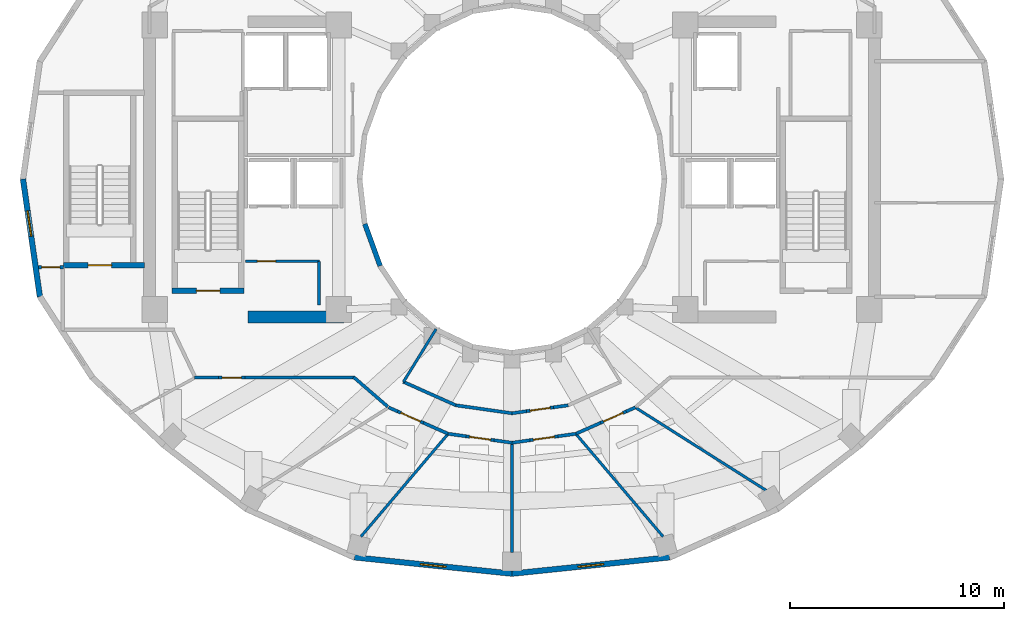
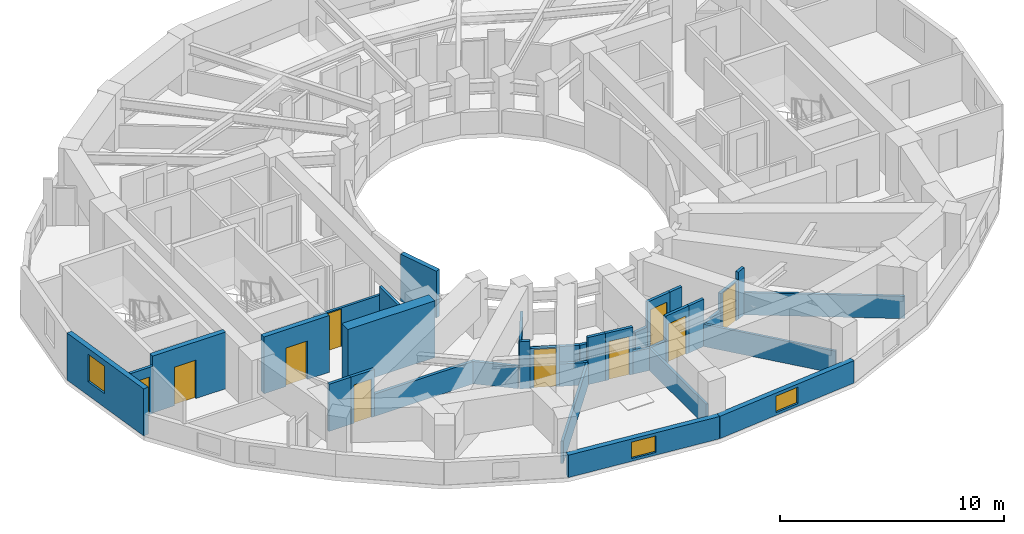
# One storey, part 3 of 9: 36 walls, 10 doors, 3 windows, 13 openings.
"""IFC4 building model written with IfcOpenShell, lengths in metres."""

from ifc_helpers import new_model, si_unit, direction, frame, frame_2d, origin, place, context, subcontext, project, spatial, rectangle, extrude, material, layer, layer_set, type_object, element, fill, save


model = new_model("IFC4")

# Units and contexts
model_context = context("Model", 3, precision=1e-05, world=origin(), true_north=direction((0.0, 1.0)))
body_context = subcontext(model_context, "Body", "Model", "MODEL_VIEW")
ifc_project = project(units=[si_unit("LENGTHUNIT", "METRE"), si_unit("AREAUNIT", "SQUARE_METRE"), si_unit("VOLUMEUNIT", "CUBIC_METRE"), si_unit("PLANEANGLEUNIT", "RADIAN"), si_unit("MASSUNIT", "GRAM", prefix="KILO")], contexts=[model_context])

# Site, building, storey
site_placement = place(None, origin())
site = spatial("IfcSite", under=ifc_project, at=site_placement, CompositionType="ELEMENT")
building_placement = place(site_placement, origin())
building = spatial("IfcBuilding", under=site, at=building_placement, Name="Solvane Sanctuary Tower", CompositionType="ELEMENT")
storey_placement = place(building_placement, frame((0.0, 0.0, 187.0)))
storey = spatial("IfcBuildingStorey", under=building, at=storey_placement, Name="L57", CompositionType="ELEMENT", Elevation=187.0)

# Wall
ifc_material_1 = material(Name="Concrete C50/60", Category="concrete")
ifc_layer_1 = layer(ifc_material_1, 0.550048828125, Name="Concrete C50/60")
ifc_layer_set_1 = layer_set([ifc_layer_1], Name="Concrete C50/60")
wall_type_1 = type_object("IfcWallType", Name="Wall W-CORE-550", PredefinedType="SHEAR", material=ifc_layer_set_1)
wall_1_placement = place(storey_placement, frame((19.64990234375, 16.550048828125, 0.0), z_axis=(0.0, 0.0, 1.0), x_axis=(1.0, 0.0, 0.0)))
element("IfcWall", 1, at=wall_1_placement, inside=storey, type_object=wall_type_1, Name="L57 Core Shear Wall WC-S", PredefinedType="SHEAR", context=body_context, shape_type="SweptSolid", body=[
    extrude(rectangle(XDim=4.5, YDim=0.550048828125, at=frame_2d((2.25, 0.0))), origin(), (0.0, 0.0, 1.0), 3.10009765625),
])

# Wall, opening, door
ifc_material_2 = material(Name="Acoustic Gypsum Partition Board")
ifc_layer_2 = layer(ifc_material_2, 0.14990234375, Name="Acoustic Gypsum Partition Board")
ifc_layer_set_2 = layer_set([ifc_layer_2], Name="Acoustic Gypsum Partition Board")
wall_type_2 = type_object("IfcWallType", Name="Wall W-CORR-150", PredefinedType="PARTITIONING", material=ifc_layer_set_2)
wall_2_placement = place(storey_placement, frame((9.869873046875, 18.8798828125, 0.0), z_axis=(0.0, 0.0, 1.0), x_axis=(1.0, 0.0, 0.0)))
wall_2 = element("IfcWall", 2, at=wall_2_placement, inside=storey, type_object=wall_type_2, Name="L57 SW Corner Closer 1", PredefinedType="PARTITIONING", context=body_context, shape_type="SweptSolid", body=[
    extrude(rectangle(XDim=1.170166015625, YDim=0.14990234375, at=frame_2d((0.5849609375, 0.0))), origin(), (0.0, 0.0, 1.0), 2.574951171875),
])
opening_1_placement = place(wall_2_placement, frame((0.139892578125, 0.0, 0.0)))
opening_1 = element("IfcOpeningElement", 3, at=opening_1_placement, cuts=wall_2, Name="Opening D-L57-16", PredefinedType="OPENING", context=body_context, shape_type="SweptSolid", body=[
    extrude(rectangle(XDim=0.85009765625, YDim=2.050048828125, at=frame_2d((0.425048828125, 1.02490234375))), frame((0.0, 0.0849609375, 0.0), z_axis=(0.0, -1.0, 0.0), x_axis=(1.0, 0.0, 0.0)), (0.0, 0.0, 1.0), 0.169921875),
])
ifc_material_3 = material(Name="Architectural Stainless Steel 316", Category="steel")
door_type_1 = type_object("IfcDoorType", Name="Door D-RISER", OperationType="NOTDEFINED", PredefinedType="DOOR", material=ifc_material_3)
door_1_placement = place(opening_1_placement, origin())
door_1 = element("IfcDoor", 4, at=door_1_placement, inside=storey, type_object=door_type_1, Name="L57 West Lookout Study Door", OperationType="SINGLE_SWING_RIGHT", OverallHeight=2.050048828125, OverallWidth=0.85009765625, PredefinedType="DOOR", context=body_context, shape_type="SweptSolid", body=[
    extrude(rectangle(XDim=0.85009765625, YDim=2.050048828125, at=frame_2d((0.425048828125, 1.02490234375))), frame((0.0, 0.02490234375, 0.0), z_axis=(0.0, -1.0, 0.0), x_axis=(1.0, 0.0, 0.0)), (0.0, 0.0, 1.0), 0.050048828125),
])
fill(opening_1, door_1)

# Walls
wall_3_placement = place(storey_placement, frame((26.193359375, 12.35791015625, 0.0), z_axis=(0.0, 0.0, 1.0), x_axis=(-0.756055312247, 0.654507727092, 0.0)))
element("IfcWall", 5, at=wall_3_placement, inside=storey, type_object=wall_type_2, Name="L57 SW Corner Throat Wall", PredefinedType="PARTITIONING", context=body_context, shape_type="SweptSolid", body=[
    extrude(rectangle(XDim=2.11083984375, YDim=0.14990234375, at=frame_2d((1.055419921875, 0.0))), origin(), (0.0, 0.0, 1.0), 1.219970703125),
])
wall_4_placement = place(storey_placement, frame((17.14990234375, 13.719970703125, 0.0), z_axis=(0.0, 0.0, 1.0), x_axis=(1.0, 0.0, 0.0)))
element("IfcWall", 6, at=wall_4_placement, inside=storey, type_object=wall_type_2, Name="L57 SW Corner Corridor Wall", PredefinedType="PARTITIONING", context=body_context, shape_type="SweptSolid", body=[
    extrude(rectangle(XDim=1.14013671875, YDim=0.14990234375, at=frame_2d((0.570068359375, 0.0))), origin(), (0.0, 0.0, 1.0), 2.574951171875),
])

# Wall, opening, door
wall_5_placement = place(storey_placement, frame((18.2900390625, 13.719970703125, 0.0), z_axis=(0.0, 0.0, 1.0), x_axis=(1.0, 0.0, 0.0)))
wall_5 = element("IfcWall", 7, at=wall_5_placement, inside=storey, type_object=wall_type_2, Name="L57 SW Corner Corridor Wall", PredefinedType="PARTITIONING", context=body_context, shape_type="SweptSolid", body=[
    extrude(rectangle(XDim=1.219970703125, YDim=0.14990234375, at=frame_2d((0.60986328125, 0.0))), origin(), (0.0, 0.0, 1.0), 2.574951171875),
])
opening_2_placement = place(wall_5_placement, frame((0.159912109375, 0.0, 0.0)))
opening_2 = element("IfcOpeningElement", 8, at=opening_2_placement, cuts=wall_5, Name="Opening D-L57-18", PredefinedType="OPENING", context=body_context, shape_type="SweptSolid", body=[
    extrude(rectangle(XDim=0.89990234375, YDim=2.10009765625, at=frame_2d((0.449951171875, 1.050048828125))), frame((0.0, 0.0849609375, 0.0), z_axis=(0.0, -1.0, 0.0), x_axis=(1.0, 0.0, 0.0)), (0.0, 0.0, 1.0), 0.169921875),
])
ifc_material_4 = material(Name="Engineered Tropical Hardwood", Category="wood")
door_type_2 = type_object("IfcDoorType", Name="Door D-WET-900", OperationType="NOTDEFINED", PredefinedType="DOOR", material=ifc_material_4)
door_2_placement = place(opening_2_placement, origin())
door_2 = element("IfcDoor", 9, at=door_2_placement, inside=storey, type_object=door_type_2, Name="L57 SW Corner Salon Door", OperationType="SINGLE_SWING_RIGHT", OverallHeight=2.10009765625, OverallWidth=0.89990234375, PredefinedType="DOOR", context=body_context, shape_type="SweptSolid", body=[
    extrude(rectangle(XDim=0.89990234375, YDim=2.10009765625, at=frame_2d((0.449951171875, 1.050048828125))), frame((0.0, 0.02490234375, 0.0), z_axis=(0.0, -1.0, 0.0), x_axis=(1.0, 0.0, 0.0)), (0.0, 0.0, 1.0), 0.050048828125),
])
fill(opening_2, door_2)

# Walls
wall_6_placement = place(storey_placement, frame((19.510009765625, 13.719970703125, 0.0), z_axis=(0.0, 0.0, 1.0), x_axis=(1.0, 0.0, 0.0)))
element("IfcWall", 10, at=wall_6_placement, inside=storey, type_object=wall_type_2, Name="L57 SW Corner Corridor Wall", PredefinedType="PARTITIONING", context=body_context, shape_type="SweptSolid", body=[
    extrude(rectangle(XDim=5.159912109375, YDim=0.14990234375, at=frame_2d((2.580078125, 0.0))), origin(), (0.0, 0.0, 1.0), 1.219970703125),
])
wall_7_placement = place(storey_placement, frame((26.9189453125, 13.520751953125, 0.0), z_axis=(0.0, 0.0, 1.0), x_axis=(0.912888568324, -0.408208845842, 0.0)))
element("IfcWall", 11, at=wall_7_placement, inside=storey, type_object=wall_type_2, Name="L57 Inner Light-Well Corridor Wall S1", PredefinedType="PARTITIONING", context=body_context, shape_type="SweptSolid", body=[
    extrude(rectangle(XDim=2.690185546875, YDim=0.14990234375, at=frame_2d((1.34521484375, 0.0))), origin(), (0.0, 0.0, 1.0), 1.219970703125),
])
wall_8_placement = place(storey_placement, frame((29.371337890625, 12.423583984375, 0.0), z_axis=(0.0, 0.0, 1.0), x_axis=(0.990066775667, -0.1405979364, 0.0)))
element("IfcWall", 12, at=wall_8_placement, inside=storey, type_object=wall_type_2, Name="L57 Inner Light-Well Corridor Wall S1", PredefinedType="PARTITIONING", context=body_context, shape_type="SweptSolid", body=[
    extrude(rectangle(XDim=2.65673828125, YDim=0.14990234375, at=frame_2d((1.328369140625, 0.0))), origin(), (0.0, 0.0, 1.0), 1.219970703125),
])
wall_9_placement = place(storey_placement, frame((31.998291015625, 12.050048828125, 0.0), z_axis=(0.0, 0.0, 1.0), x_axis=(0.990082845611, 0.140484728093, 0.0)))
element("IfcWall", 13, at=wall_9_placement, inside=storey, type_object=wall_type_2, Name="L57 Inner Light-Well Corridor Wall S1", PredefinedType="PARTITIONING", context=body_context, shape_type="SweptSolid", body=[
    extrude(rectangle(XDim=0.693359375, YDim=0.14990234375, at=frame_2d((0.3466796875, 0.0))), origin(), (0.0, 0.0, 1.0), 1.219970703125),
])

# Wall, opening, door
wall_10_placement = place(storey_placement, frame((32.684814453125, 12.1474609375, 0.0), z_axis=(0.0, 0.0, 1.0), x_axis=(0.990049212475, 0.140721557967, 0.0)))
wall_10 = element("IfcWall", 14, at=wall_10_placement, inside=storey, type_object=wall_type_2, Name="L57 Inner Light-Well Corridor Wall S1", PredefinedType="PARTITIONING", context=body_context, shape_type="SweptSolid", body=[
    extrude(rectangle(XDim=1.27001953125, YDim=0.14990234375, at=frame_2d((0.635009765625, 0.0))), origin(), (0.0, 0.0, 1.0), 2.574951171875),
])
opening_3_placement = place(wall_10_placement, frame((0.159912109375, 0.0, 0.0)))
opening_3 = element("IfcOpeningElement", 15, at=opening_3_placement, cuts=wall_10, Name="Opening D-L57-20", PredefinedType="OPENING", context=body_context, shape_type="SweptSolid", body=[
    extrude(rectangle(XDim=0.949951171875, YDim=2.10009765625, at=frame_2d((0.47509765625, 1.050048828125))), frame((0.0, 0.0849609375, 0.0), z_axis=(0.0, -1.0, 0.0), x_axis=(1.0, 0.0, 0.0)), (0.0, 0.0, 1.0), 0.169921875),
])
door_type_3 = type_object("IfcDoorType", Name="Door D-ROOM-950", OperationType="NOTDEFINED", PredefinedType="DOOR", material=ifc_material_4)
door_3_placement = place(opening_3_placement, origin())
door_3 = element("IfcDoor", 16, at=door_3_placement, inside=storey, type_object=door_type_3, Name="L57 Inner Light-Well Salon Door S1", OperationType="SINGLE_SWING_RIGHT", OverallHeight=2.10009765625, OverallWidth=0.949951171875, PredefinedType="DOOR", context=body_context, shape_type="SweptSolid", body=[
    extrude(rectangle(XDim=0.949951171875, YDim=2.10009765625, at=frame_2d((0.47509765625, 1.050048828125))), frame((0.0, 0.02490234375, 0.0), z_axis=(0.0, -1.0, 0.0), x_axis=(1.0, 0.0, 0.0)), (0.0, 0.0, 1.0), 0.050048828125),
])
fill(opening_3, door_3)

# Walls
wall_11_placement = place(storey_placement, frame((33.942138671875, 12.326171875, 0.0), z_axis=(0.0, 0.0, 1.0), x_axis=(0.990082845611, 0.140484728093, 0.0)))
element("IfcWall", 17, at=wall_11_placement, inside=storey, type_object=wall_type_2, Name="L57 Inner Light-Well Corridor Wall S1", PredefinedType="PARTITIONING", context=body_context, shape_type="SweptSolid", body=[
    extrude(rectangle(XDim=0.693359375, YDim=0.14990234375, at=frame_2d((0.3466796875, 0.0))), origin(), (0.0, 0.0, 1.0), 2.574951171875),
])
wall_12_placement = place(storey_placement, frame((26.22802734375, 12.326171875, 0.0), z_axis=(0.0, 0.0, 1.0), x_axis=(0.914387769504, -0.404839482983, 0.0)))
element("IfcWall", 18, at=wall_12_placement, inside=storey, type_object=wall_type_2, Name="L57 Unit Corridor Wall S1", PredefinedType="PARTITIONING", context=body_context, shape_type="SweptSolid", body=[
    extrude(rectangle(XDim=0.470947265625, YDim=0.14990234375, at=frame_2d((0.2353515625, 0.0))), origin(), (0.0, 0.0, 1.0), 2.574951171875),
])

# Wall, opening, door
wall_13_placement = place(storey_placement, frame((26.65869140625, 12.135498046875, 0.0), z_axis=(0.0, 0.0, 1.0), x_axis=(0.914314172667, -0.405005671145, 0.0)))
wall_13 = element("IfcWall", 19, at=wall_13_placement, inside=storey, type_object=wall_type_2, Name="L57 Unit Corridor Wall S1", PredefinedType="PARTITIONING", context=body_context, shape_type="SweptSolid", body=[
    extrude(rectangle(XDim=1.320068359375, YDim=0.14990234375, at=frame_2d((0.66015625, 0.0))), origin(), (0.0, 0.0, 1.0), 2.159912109375),
])
opening_4_placement = place(wall_13_placement, frame((0.159912109375, 0.0, 0.0)))
opening_4 = element("IfcOpeningElement", 20, at=opening_4_placement, cuts=wall_13, Name="Opening D-L57-25", PredefinedType="OPENING", context=body_context, shape_type="SweptSolid", body=[
    extrude(rectangle(XDim=1.0, YDim=2.10009765625, at=frame_2d((0.5, 1.050048828125))), frame((0.0, 0.0849609375, 0.0), z_axis=(0.0, -1.0, 0.0), x_axis=(1.0, 0.0, 0.0)), (0.0, 0.0, 1.0), 0.169921875),
])
door_type_4 = type_object("IfcDoorType", Name="Door D-UNIT", OperationType="NOTDEFINED", PredefinedType="DOOR", material=ifc_material_4)
door_4_placement = place(opening_4_placement, origin())
door_4 = element("IfcDoor", 21, at=door_4_placement, inside=storey, type_object=door_type_4, Name="L57 Unit Entrance Door S1", OperationType="SINGLE_SWING_LEFT", OverallHeight=2.10009765625, OverallWidth=1.0, PredefinedType="DOOR", context=body_context, shape_type="SweptSolid", body=[
    extrude(rectangle(XDim=1.0, YDim=2.10009765625, at=frame_2d((0.5, 1.050048828125))), frame((0.0, 0.02490234375, 0.0), z_axis=(0.0, -1.0, 0.0), x_axis=(1.0, 0.0, 0.0)), (0.0, 0.0, 1.0), 0.050048828125),
])
fill(opening_4, door_4)

# Walls
wall_14_placement = place(storey_placement, frame((27.86572265625, 11.600830078125, 0.0), z_axis=(0.0, 0.0, 1.0), x_axis=(0.914311660367, -0.405011342701, 0.0)))
element("IfcWall", 22, at=wall_14_placement, inside=storey, type_object=wall_type_2, Name="L57 Unit Corridor Wall S1", PredefinedType="PARTITIONING", context=body_context, shape_type="SweptSolid", body=[
    extrude(rectangle(XDim=1.2666015625, YDim=0.14990234375, at=frame_2d((0.63330078125, 0.0))), origin(), (0.0, 0.0, 1.0), 1.219970703125),
])
wall_15_placement = place(storey_placement, frame((29.008056640625, 11.09228515625, 0.0), z_axis=(0.0, 0.0, 1.0), x_axis=(0.990238723834, -0.139381741342, 0.0)))
element("IfcWall", 23, at=wall_15_placement, inside=storey, type_object=wall_type_2, Name="L57 Unit Corridor Wall S2", PredefinedType="PARTITIONING", context=body_context, shape_type="SweptSolid", body=[
    extrude(rectangle(XDim=0.854736328125, YDim=0.14990234375, at=frame_2d((0.42724609375, 0.0))), origin(), (0.0, 0.0, 1.0), 2.574951171875),
])

# Wall, opening, door
wall_16_placement = place(storey_placement, frame((29.8544921875, 10.97314453125, 0.0), z_axis=(0.0, 0.0, 1.0), x_axis=(0.990254187593, -0.139271834751, 0.0)))
wall_16 = element("IfcWall", 24, at=wall_16_placement, inside=storey, type_object=wall_type_2, Name="L57 Unit Corridor Wall S2", PredefinedType="PARTITIONING", context=body_context, shape_type="SweptSolid", body=[
    extrude(rectangle(XDim=1.320068359375, YDim=0.14990234375, at=frame_2d((0.66015625, 0.0))), origin(), (0.0, 0.0, 1.0), 2.574951171875),
])
opening_5_placement = place(wall_16_placement, frame((0.159912109375, 0.0, 0.0)))
opening_5 = element("IfcOpeningElement", 25, at=opening_5_placement, cuts=wall_16, Name="Opening D-L57-26", PredefinedType="OPENING", context=body_context, shape_type="SweptSolid", body=[
    extrude(rectangle(XDim=1.0, YDim=2.10009765625, at=frame_2d((0.5, 1.050048828125))), frame((0.0, 0.0849609375, 0.0), z_axis=(0.0, -1.0, 0.0), x_axis=(1.0, 0.0, 0.0)), (0.0, 0.0, 1.0), 0.169921875),
])
door_5_placement = place(opening_5_placement, origin())
door_5 = element("IfcDoor", 26, at=door_5_placement, inside=storey, type_object=door_type_4, Name="L57 Unit Entrance Door S2", OperationType="SINGLE_SWING_RIGHT", OverallHeight=2.10009765625, OverallWidth=1.0, PredefinedType="DOOR", context=body_context, shape_type="SweptSolid", body=[
    extrude(rectangle(XDim=1.0, YDim=2.10009765625, at=frame_2d((0.5, 1.050048828125))), frame((0.0, 0.02490234375, 0.0), z_axis=(0.0, -1.0, 0.0), x_axis=(1.0, 0.0, 0.0)), (0.0, 0.0, 1.0), 0.050048828125),
])
fill(opening_5, door_5)

# Walls
for number, where, z_axis, x_axis, name in (
    (27, (31.16162109375, 10.789306640625, 0.0), (0.0, 0.0, 1.0), (0.990199264419, -0.139661794145, 0.0), "L57 Unit Corridor Wall S2"),
    (28, (31.991943359375, 10.669921875, 0.0), (0.0, 0.0, 1.0), (0.990199264419, 0.139661794145, 0.0), "L57 Unit Corridor Wall S3"),
):
    element("IfcWall", number, at=place(storey_placement, frame(where, z_axis=z_axis, x_axis=x_axis)), inside=storey, type_object=wall_type_2, Name=name, PredefinedType="PARTITIONING", context=body_context, shape_type="SweptSolid", body=[
        extrude(rectangle(XDim=0.854736328125, YDim=0.14990234375, at=frame_2d((0.42724609375, 0.0))), origin(), (0.0, 0.0, 1.0), 1.219970703125),
    ])

# Wall, opening, door
wall_17_placement = place(storey_placement, frame((32.83837890625, 10.789306640625, 0.0), z_axis=(0.0, 0.0, 1.0), x_axis=(0.990254187593, 0.139271834751, 0.0)))
wall_17 = element("IfcWall", 29, at=wall_17_placement, inside=storey, type_object=wall_type_2, Name="L57 Unit Corridor Wall S3", PredefinedType="PARTITIONING", context=body_context, shape_type="SweptSolid", body=[
    extrude(rectangle(XDim=1.320068359375, YDim=0.14990234375, at=frame_2d((0.66015625, 0.0))), origin(), (0.0, 0.0, 1.0), 2.574951171875),
])
opening_6_placement = place(wall_17_placement, frame((0.159912109375, 0.0, 0.0)))
opening_6 = element("IfcOpeningElement", 30, at=opening_6_placement, cuts=wall_17, Name="Opening D-L57-27", PredefinedType="OPENING", context=body_context, shape_type="SweptSolid", body=[
    extrude(rectangle(XDim=1.0, YDim=2.10009765625, at=frame_2d((0.5, 1.050048828125))), frame((0.0, 0.0849609375, 0.0), z_axis=(0.0, -1.0, 0.0), x_axis=(1.0, 0.0, 0.0)), (0.0, 0.0, 1.0), 0.169921875),
])
door_6_placement = place(opening_6_placement, origin())
door_6 = element("IfcDoor", 31, at=door_6_placement, inside=storey, type_object=door_type_4, Name="L57 Unit Entrance Door S3", OperationType="SINGLE_SWING_LEFT", OverallHeight=2.10009765625, OverallWidth=1.0, PredefinedType="DOOR", context=body_context, shape_type="SweptSolid", body=[
    extrude(rectangle(XDim=1.0, YDim=2.10009765625, at=frame_2d((0.5, 1.050048828125))), frame((0.0, 0.02490234375, 0.0), z_axis=(0.0, -1.0, 0.0), x_axis=(1.0, 0.0, 0.0)), (0.0, 0.0, 1.0), 0.050048828125),
])
fill(opening_6, door_6)

# Walls
wall_18_placement = place(storey_placement, frame((34.1455078125, 10.97314453125, 0.0), z_axis=(0.0, 0.0, 1.0), x_axis=(0.990238723834, 0.139381741342, 0.0)))
element("IfcWall", 32, at=wall_18_placement, inside=storey, type_object=wall_type_2, Name="L57 Unit Corridor Wall S3", PredefinedType="PARTITIONING", context=body_context, shape_type="SweptSolid", body=[
    extrude(rectangle(XDim=0.854736328125, YDim=0.14990234375, at=frame_2d((0.42724609375, 0.0))), origin(), (0.0, 0.0, 1.0), 2.574951171875),
])
wall_19_placement = place(storey_placement, frame((34.976318359375, 11.087890625, 0.0), z_axis=(0.0, 0.0, 1.0), x_axis=(0.914311660367, 0.405011342701, 0.0)))
element("IfcWall", 33, at=wall_19_placement, inside=storey, type_object=wall_type_2, Name="L57 Unit Corridor Wall S4", PredefinedType="PARTITIONING", context=body_context, shape_type="SweptSolid", body=[
    extrude(rectangle(XDim=1.2666015625, YDim=0.14990234375, at=frame_2d((0.63330078125, 0.0))), origin(), (0.0, 0.0, 1.0), 1.219970703125),
])

# Wall, opening, door
wall_20_placement = place(storey_placement, frame((36.13427734375, 11.600830078125, 0.0), z_axis=(0.0, 0.0, 1.0), x_axis=(0.914314172667, 0.405005671145, 0.0)))
wall_20 = element("IfcWall", 34, at=wall_20_placement, inside=storey, type_object=wall_type_2, Name="L57 Unit Corridor Wall S4", PredefinedType="PARTITIONING", context=body_context, shape_type="SweptSolid", body=[
    extrude(rectangle(XDim=1.320068359375, YDim=0.14990234375, at=frame_2d((0.66015625, 0.0))), origin(), (0.0, 0.0, 1.0), 2.159912109375),
])
opening_7_placement = place(wall_20_placement, frame((0.159912109375, 0.0, 0.0)))
opening_7 = element("IfcOpeningElement", 35, at=opening_7_placement, cuts=wall_20, Name="Opening D-L57-28", PredefinedType="OPENING", context=body_context, shape_type="SweptSolid", body=[
    extrude(rectangle(XDim=1.0, YDim=2.10009765625, at=frame_2d((0.5, 1.050048828125))), frame((0.0, 0.0849609375, 0.0), z_axis=(0.0, -1.0, 0.0), x_axis=(1.0, 0.0, 0.0)), (0.0, 0.0, 1.0), 0.169921875),
])
door_7_placement = place(opening_7_placement, origin())
door_7 = element("IfcDoor", 36, at=door_7_placement, inside=storey, type_object=door_type_4, Name="L57 Unit Entrance Door S4", OperationType="SINGLE_SWING_RIGHT", OverallHeight=2.10009765625, OverallWidth=1.0, PredefinedType="DOOR", context=body_context, shape_type="SweptSolid", body=[
    extrude(rectangle(XDim=1.0, YDim=2.10009765625, at=frame_2d((0.5, 1.050048828125))), frame((0.0, 0.02490234375, 0.0), z_axis=(0.0, -1.0, 0.0), x_axis=(1.0, 0.0, 0.0)), (0.0, 0.0, 1.0), 0.050048828125),
])
fill(opening_7, door_7)

# Wall
wall_21_placement = place(storey_placement, frame((37.34130859375, 12.135498046875, 0.0), z_axis=(0.0, 0.0, 1.0), x_axis=(0.914387769504, 0.404839482983, 0.0)))
element("IfcWall", 37, at=wall_21_placement, inside=storey, type_object=wall_type_2, Name="L57 Unit Corridor Wall S4", PredefinedType="PARTITIONING", context=body_context, shape_type="SweptSolid", body=[
    extrude(rectangle(XDim=0.470947265625, YDim=0.14990234375, at=frame_2d((0.2353515625, 0.0))), origin(), (0.0, 0.0, 1.0), 2.574951171875),
])

# Wall, opening, window
ifc_material_5 = material(Name="Precast concrete C40/50", Category="concrete")
ifc_layer_3 = layer(ifc_material_5, 0.260009765625, Name="Precast concrete C40/50")
ifc_layer_set_3 = layer_set([ifc_layer_3], Name="Precast concrete C40/50")
wall_type_3 = type_object("IfcWallType", Name="Wall W-EXT-250", PredefinedType="STANDARD", material=ifc_layer_set_3)
wall_22_placement = place(storey_placement, frame((9.139892578125, 23.0, 0.0), z_axis=(0.0, 0.0, 1.0), x_axis=(0.142227632286, -0.989833976288, 0.0)))
wall_22 = element("IfcWall", 38, at=wall_22_placement, inside=storey, type_object=wall_type_3, Name="L57 Ceramic-Printed Facade Wall 12", PredefinedType="STANDARD", context=body_context, shape_type="SweptSolid", body=[
    extrude(rectangle(XDim=5.552978515625, YDim=0.260009765625, at=frame_2d((2.7763671875, 0.0))), origin(), (0.0, 0.0, 1.0), 2.570068359375),
])
opening_8_placement = place(wall_22_placement, frame((1.506103515625, 0.0, 0.75)))
opening_8 = element("IfcOpeningElement", 39, at=opening_8_placement, cuts=wall_22, Name="Opening WN-OPER-1200", PredefinedType="OPENING", context=body_context, shape_type="SweptSolid", body=[
    extrude(rectangle(XDim=1.199951171875, YDim=1.5, at=frame_2d((0.60009765625, 0.75))), frame((0.0, 0.139892578125, 0.0), z_axis=(0.0, -1.0, 0.0), x_axis=(1.0, 0.0, 0.0)), (0.0, 0.0, 1.0), 0.280029296875),
])
ifc_material_6 = material(Name="Dark Ceramic-Fritted Low-E Glass", Category="glass")
window_type = type_object("IfcWindowType", Name="Window WN-OPER-1200", PartitioningType="SINGLE_PANEL", PredefinedType="WINDOW", material=ifc_material_6)
window_1_placement = place(opening_8_placement, origin())
window_1 = element("IfcWindow", 40, at=window_1_placement, inside=storey, type_object=window_type, Name="L57 Operable Facade Window 12", OverallHeight=1.5, OverallWidth=1.199951171875, PartitioningType="SINGLE_PANEL", PredefinedType="WINDOW", context=body_context, shape_type="SweptSolid", body=[
    extrude(rectangle(XDim=1.199951171875, YDim=1.5, at=frame_2d((0.60009765625, 0.75))), frame((0.0, 0.030029296875, 0.0), z_axis=(0.0, -1.0, 0.0), x_axis=(1.0, 0.0, 0.0)), (0.0, 0.0, 1.0), 0.06005859375),
])
fill(opening_8, window_1)

wall_23_placement = place(storey_placement, frame((24.634765625, 5.3154296875, 0.0), z_axis=(0.0, 0.0, 1.0), x_axis=(0.994664178965, -0.10316574569, 0.0)))
wall_23 = element("IfcWall", 41, at=wall_23_placement, inside=storey, type_object=wall_type_3, Name="L57 Ceramic-Printed Facade Wall 17", PredefinedType="STANDARD", context=body_context, shape_type="SweptSolid", body=[
    extrude(rectangle(XDim=7.40478515625, YDim=0.260009765625, at=frame_2d((3.702392578125, 0.0))), origin(), (0.0, 0.0, 1.0), 1.219970703125),
])
opening_9_placement = place(wall_23_placement, frame((3.102294921875, 0.0, 0.14990234375)))
opening_9 = element("IfcOpeningElement", 42, at=opening_9_placement, cuts=wall_23, Name="Opening WN-OPER-1200", PredefinedType="OPENING", context=body_context, shape_type="SweptSolid", body=[
    extrude(rectangle(XDim=1.199951171875, YDim=0.89990234375, at=frame_2d((0.60009765625, 0.449951171875))), frame((0.0, 0.139892578125, 0.0), z_axis=(0.0, -1.0, 0.0), x_axis=(1.0, 0.0, 0.0)), (0.0, 0.0, 1.0), 0.280029296875),
])
window_2_placement = place(opening_9_placement, origin())
window_2 = element("IfcWindow", 43, at=window_2_placement, inside=storey, type_object=window_type, Name="L57 Operable Facade Window 17", OverallHeight=0.89990234375, OverallWidth=1.199951171875, PartitioningType="SINGLE_PANEL", PredefinedType="WINDOW", context=body_context, shape_type="SweptSolid", body=[
    extrude(rectangle(XDim=1.199951171875, YDim=0.89990234375, at=frame_2d((0.60009765625, 0.449951171875))), frame((0.0, 0.030029296875, 0.0), z_axis=(0.0, -1.0, 0.0), x_axis=(1.0, 0.0, 0.0)), (0.0, 0.0, 1.0), 0.06005859375),
])
fill(opening_9, window_2)

wall_24_placement = place(storey_placement, frame((32.0, 4.551513671875, 0.0), z_axis=(0.0, 0.0, 1.0), x_axis=(0.994664178965, 0.10316574569, 0.0)))
wall_24 = element("IfcWall", 44, at=wall_24_placement, inside=storey, type_object=wall_type_3, Name="L57 Ceramic-Printed Facade Wall 18", PredefinedType="STANDARD", context=body_context, shape_type="SweptSolid", body=[
    extrude(rectangle(XDim=7.40478515625, YDim=0.260009765625, at=frame_2d((3.702392578125, 0.0))), origin(), (0.0, 0.0, 1.0), 1.219970703125),
])
opening_10_placement = place(wall_24_placement, frame((3.102294921875, 0.0, 0.14990234375)))
opening_10 = element("IfcOpeningElement", 45, at=opening_10_placement, cuts=wall_24, Name="Opening WN-OPER-1200", PredefinedType="OPENING", context=body_context, shape_type="SweptSolid", body=[
    extrude(rectangle(XDim=1.199951171875, YDim=0.89990234375, at=frame_2d((0.60009765625, 0.449951171875))), frame((0.0, 0.139892578125, 0.0), z_axis=(0.0, -1.0, 0.0), x_axis=(1.0, 0.0, 0.0)), (0.0, 0.0, 1.0), 0.280029296875),
])
window_3_placement = place(opening_10_placement, origin())
window_3 = element("IfcWindow", 46, at=window_3_placement, inside=storey, type_object=window_type, Name="L57 Operable Facade Window 18", OverallHeight=0.89990234375, OverallWidth=1.199951171875, PartitioningType="SINGLE_PANEL", PredefinedType="WINDOW", context=body_context, shape_type="SweptSolid", body=[
    extrude(rectangle(XDim=1.199951171875, YDim=0.89990234375, at=frame_2d((0.60009765625, 0.449951171875))), frame((0.0, 0.030029296875, 0.0), z_axis=(0.0, -1.0, 0.0), x_axis=(1.0, 0.0, 0.0)), (0.0, 0.0, 1.0), 0.06005859375),
])
fill(opening_10, window_3)

# Wall
ifc_layer_4 = layer(ifc_material_5, 0.22998046875, Name="Precast concrete C40/50")
ifc_layer_set_4 = layer_set([ifc_layer_4], Name="Precast concrete C40/50")
wall_type_4 = type_object("IfcWallType", Name="Wall W-EXT-SP220", PredefinedType="STANDARD", material=ifc_layer_set_4)
wall_25_placement = place(storey_placement, frame((25.12255859375, 20.8984375, 0.0), z_axis=(0.0, 0.0, 1.0), x_axis=(0.341423187295, -0.93990968033, 0.0)))
element("IfcWall", 47, at=wall_25_placement, inside=storey, type_object=wall_type_4, Name="L57 Central Light-Well Wall 13", PredefinedType="STANDARD", context=body_context, shape_type="SweptSolid", body=[
    extrude(rectangle(XDim=2.083740234375, YDim=0.22998046875, at=frame_2d((1.0419921875, 0.0))), origin(), (0.0, 0.0, 1.0), 2.56005859375),
])

# Wall, opening, door
ifc_layer_5 = layer(ifc_material_2, 0.125, Name="Acoustic Gypsum Partition Board")
ifc_layer_set_5 = layer_set([ifc_layer_5], Name="Acoustic Gypsum Partition Board")
wall_type_5 = type_object("IfcWallType", Name="Wall W-PART-125", PredefinedType="PARTITIONING", material=ifc_layer_set_5)
wall_26_placement = place(storey_placement, frame((19.550048828125, 19.159912109375, 0.0), z_axis=(0.0, 0.0, 1.0), x_axis=(1.0, 0.0, 0.0)))
wall_26 = element("IfcWall", 48, at=wall_26_placement, inside=storey, type_object=wall_type_5, Name="L57 Reclaimed Room Partition PLW", PredefinedType="PARTITIONING", context=body_context, shape_type="SweptSolid", body=[
    extrude(rectangle(XDim=3.449951171875, YDim=0.125, at=frame_2d((1.72509765625, 0.0))), origin(), (0.0, 0.0, 1.0), 2.1201171875),
])
opening_11_placement = place(wall_26_placement, frame((0.550048828125, 0.0, 0.0)))
opening_11 = element("IfcOpeningElement", 49, at=opening_11_placement, cuts=wall_26, Name="Opening D-L57-06", PredefinedType="OPENING", context=body_context, shape_type="SweptSolid", body=[
    extrude(rectangle(XDim=0.85009765625, YDim=2.050048828125, at=frame_2d((0.425048828125, 1.02490234375))), frame((0.0, 0.072509765625, 0.0), z_axis=(0.0, -1.0, 0.0), x_axis=(1.0, 0.0, 0.0)), (0.0, 0.0, 1.0), 0.14501953125),
])
door_8_placement = place(opening_11_placement, origin())
door_8 = element("IfcDoor", 50, at=door_8_placement, inside=storey, type_object=door_type_1, Name="L57 Reclaimed Room Door PLW-1", OperationType="SINGLE_SWING_RIGHT", OverallHeight=2.050048828125, OverallWidth=0.85009765625, PredefinedType="DOOR", context=body_context, shape_type="SweptSolid", body=[
    extrude(rectangle(XDim=0.85009765625, YDim=2.050048828125, at=frame_2d((0.425048828125, 1.02490234375))), frame((0.0, 0.02490234375, 0.0), z_axis=(0.0, -1.0, 0.0), x_axis=(1.0, 0.0, 0.0)), (0.0, 0.0, 1.0), 0.050048828125),
])
fill(opening_11, door_8)

# Walls
wall_27_placement = place(storey_placement, frame((22.97998046875, 17.10009765625, 0.0), z_axis=(0.0, 0.0, 1.0), x_axis=(0.0, 1.0, 0.0)))
element("IfcWall", 51, at=wall_27_placement, inside=storey, type_object=wall_type_5, Name="L57 Reclaimed Room Closer Wall PLW-1", PredefinedType="PARTITIONING", context=body_context, shape_type="SweptSolid", body=[
    extrude(rectangle(XDim=2.039794921875, YDim=0.125, at=frame_2d((1.02001953125, 0.0))), origin(), (0.0, 0.0, 1.0), 2.574951171875),
])
wall_28_placement = place(storey_placement, frame((28.449951171875, 15.985107421875, 0.0), z_axis=(0.0, 0.0, 1.0), x_axis=(-0.525627246902, -0.850714991824, 0.0)))
element("IfcWall", 52, at=wall_28_placement, inside=storey, type_object=wall_type_5, Name="L57 Inner Light-Well Radial Wall 240", PredefinedType="PARTITIONING", context=body_context, shape_type="SweptSolid", body=[
    extrude(rectangle(XDim=2.901123046875, YDim=0.125, at=frame_2d((1.45068359375, 0.0))), origin(), (0.0, 0.0, 1.0), 1.219970703125),
])
wall_29_placement = place(storey_placement, frame((28.980224609375, 11.048095703125, 0.0), z_axis=(0.0, 0.0, 1.0), x_axis=(-0.647173462792, -0.762342776615, 0.0)))
element("IfcWall", 53, at=wall_29_placement, inside=storey, type_object=wall_type_5, Name="L57 Radial Compartment Wall 255", PredefinedType="PARTITIONING", context=body_context, shape_type="SweptSolid", body=[
    extrude(rectangle(XDim=6.25341796875, YDim=0.125, at=frame_2d((3.126708984375, 0.0))), origin(), (0.0, 0.0, 1.0), 1.219970703125),
])
wall_30_placement = place(storey_placement, frame((32.0, 10.614990234375, 0.0), z_axis=(0.0, 0.0, 1.0), x_axis=(0.0, -1.0, 0.0)))
element("IfcWall", 54, at=wall_30_placement, inside=storey, type_object=wall_type_5, Name="L57 Radial Compartment Wall 270", PredefinedType="PARTITIONING", context=body_context, shape_type="SweptSolid", body=[
    extrude(rectangle(XDim=5.06494140625, YDim=0.125, at=frame_2d((2.532470703125, 0.0))), origin(), (0.0, 0.0, 1.0), 1.219970703125),
])
wall_31_placement = place(storey_placement, frame((35.019775390625, 11.048095703125, 0.0), z_axis=(0.0, 0.0, 1.0), x_axis=(0.647173462792, -0.762342776615, 0.0)))
element("IfcWall", 55, at=wall_31_placement, inside=storey, type_object=wall_type_5, Name="L57 Radial Compartment Wall 285", PredefinedType="PARTITIONING", context=body_context, shape_type="SweptSolid", body=[
    extrude(rectangle(XDim=6.25341796875, YDim=0.125, at=frame_2d((3.126708984375, 0.0))), origin(), (0.0, 0.0, 1.0), 1.219970703125),
])
wall_32_placement = place(storey_placement, frame((37.8115234375, 12.29248046875, 0.0), z_axis=(0.0, 0.0, 1.0), x_axis=(0.844640430122, -0.535334048799, 0.0)))
element("IfcWall", 56, at=wall_32_placement, inside=storey, type_object=wall_type_5, Name="L57 Radial Compartment Wall 300", PredefinedType="PARTITIONING", context=body_context, shape_type="SweptSolid", body=[
    extrude(rectangle(XDim=7.188232421875, YDim=0.125, at=frame_2d((3.59423828125, 0.0))), origin(), (0.0, 0.0, 1.0), 1.219970703125),
])

# Wall, opening, door
ifc_layer_6 = layer(ifc_material_1, 0.25, Name="Concrete C50/60")
ifc_layer_set_6 = layer_set([ifc_layer_6], Name="Concrete C50/60")
wall_type_6 = type_object("IfcWallType", Name="Wall W-SHAFT-250", PredefinedType="SOLIDWALL", material=ifc_layer_set_6)
wall_33_placement = place(storey_placement, frame((16.10498046875, 17.77001953125, 0.0), z_axis=(0.0, 0.0, 1.0), x_axis=(1.0, 0.0, 0.0)))
wall_33 = element("IfcWall", 57, at=wall_33_placement, inside=storey, type_object=wall_type_6, Name="L57 ST-1 Load-Bearing Shaft Wall S", PredefinedType="SOLIDWALL", context=body_context, shape_type="SweptSolid", body=[
    extrude(rectangle(XDim=3.3701171875, YDim=0.25, at=frame_2d((1.68505859375, 0.0))), origin(), (0.0, 0.0, 1.0), 3.10009765625),
])
opening_12_placement = place(wall_33_placement, frame((1.135009765625, 0.0, 0.0)))
opening_12 = element("IfcOpeningElement", 58, at=opening_12_placement, cuts=wall_33, Name="Opening D-L57-01", PredefinedType="OPENING", context=body_context, shape_type="SweptSolid", body=[
    extrude(rectangle(XDim=1.10009765625, YDim=2.10009765625, at=frame_2d((0.550048828125, 1.050048828125))), frame((0.0, 0.135009765625, 0.0), z_axis=(0.0, -1.0, 0.0), x_axis=(1.0, 0.0, 0.0)), (0.0, 0.0, 1.0), 0.27001953125),
])
door_type_5 = type_object("IfcDoorType", Name="Door D-STAIR", OperationType="NOTDEFINED", PredefinedType="DOOR", material=ifc_material_3)
door_9_placement = place(opening_12_placement, origin())
door_9 = element("IfcDoor", 59, at=door_9_placement, inside=storey, type_object=door_type_5, Name="L57 ST-1 Exit Stair Fire Door", OperationType="SINGLE_SWING_LEFT", OverallHeight=2.10009765625, OverallWidth=1.10009765625, PredefinedType="DOOR", context=body_context, shape_type="SweptSolid", body=[
    extrude(rectangle(XDim=1.10009765625, YDim=2.10009765625, at=frame_2d((0.550048828125, 1.050048828125))), frame((0.0, 0.02490234375, 0.0), z_axis=(0.0, -1.0, 0.0), x_axis=(1.0, 0.0, 0.0)), (0.0, 0.0, 1.0), 0.050048828125),
])
fill(opening_12, door_9)

wall_34_placement = place(storey_placement, frame((11.044921875, 18.969970703125, 0.0), z_axis=(0.0, 0.0, 1.0), x_axis=(1.0, 0.0, 0.0)))
wall_34 = element("IfcWall", 60, at=wall_34_placement, inside=storey, type_object=wall_type_6, Name="L57 ST-3 Load-Bearing Shaft Wall S", PredefinedType="SOLIDWALL", context=body_context, shape_type="SweptSolid", body=[
    extrude(rectangle(XDim=3.781982421875, YDim=0.25, at=frame_2d((1.89111328125, 0.0))), origin(), (0.0, 0.0, 1.0), 3.10009765625),
])
opening_13_placement = place(wall_34_placement, frame((1.135009765625, 0.0, 0.0)))
opening_13 = element("IfcOpeningElement", 61, at=opening_13_placement, cuts=wall_34, Name="Opening D-L57-03", PredefinedType="OPENING", context=body_context, shape_type="SweptSolid", body=[
    extrude(rectangle(XDim=1.10009765625, YDim=2.10009765625, at=frame_2d((0.550048828125, 1.050048828125))), frame((0.0, 0.135009765625, 0.0), z_axis=(0.0, -1.0, 0.0), x_axis=(1.0, 0.0, 0.0)), (0.0, 0.0, 1.0), 0.27001953125),
])
door_10_placement = place(opening_13_placement, origin())
door_10 = element("IfcDoor", 62, at=door_10_placement, inside=storey, type_object=door_type_5, Name="L57 ST-3 Exit Stair Fire Door", OperationType="SINGLE_SWING_LEFT", OverallHeight=2.10009765625, OverallWidth=1.10009765625, PredefinedType="DOOR", context=body_context, shape_type="SweptSolid", body=[
    extrude(rectangle(XDim=1.10009765625, YDim=2.10009765625, at=frame_2d((0.550048828125, 1.050048828125))), frame((0.0, 0.02490234375, 0.0), z_axis=(0.0, -1.0, 0.0), x_axis=(1.0, 0.0, 0.0)), (0.0, 0.0, 1.0), 0.050048828125),
])
fill(opening_13, door_10)

save(model, "model.ifc")
